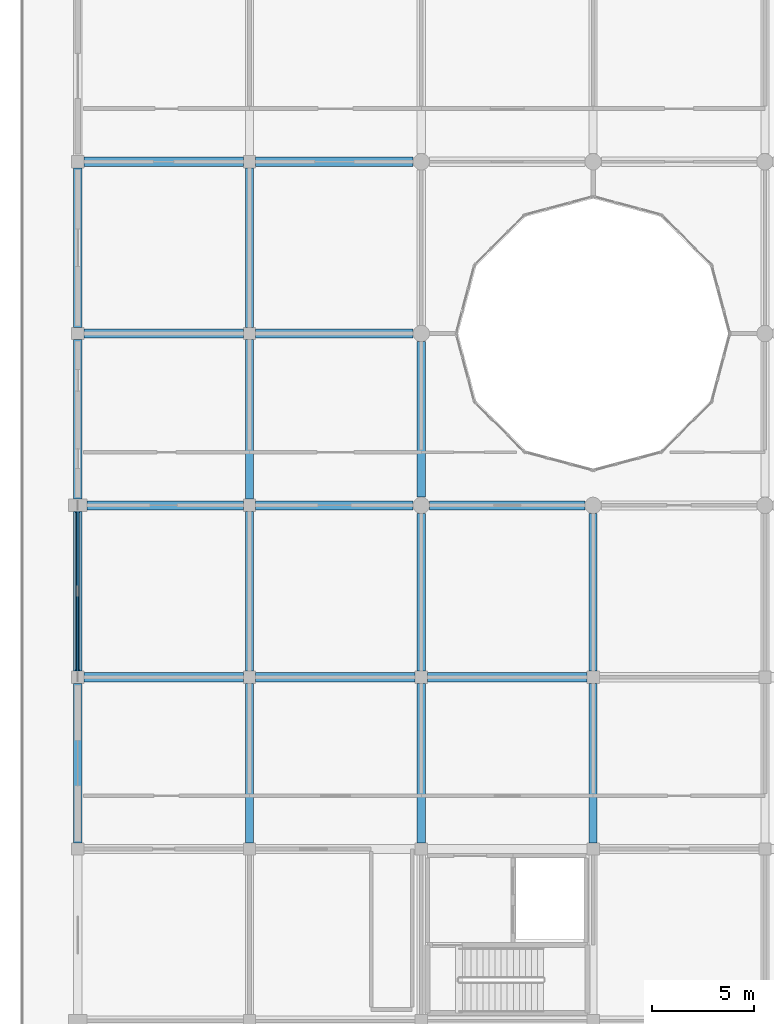
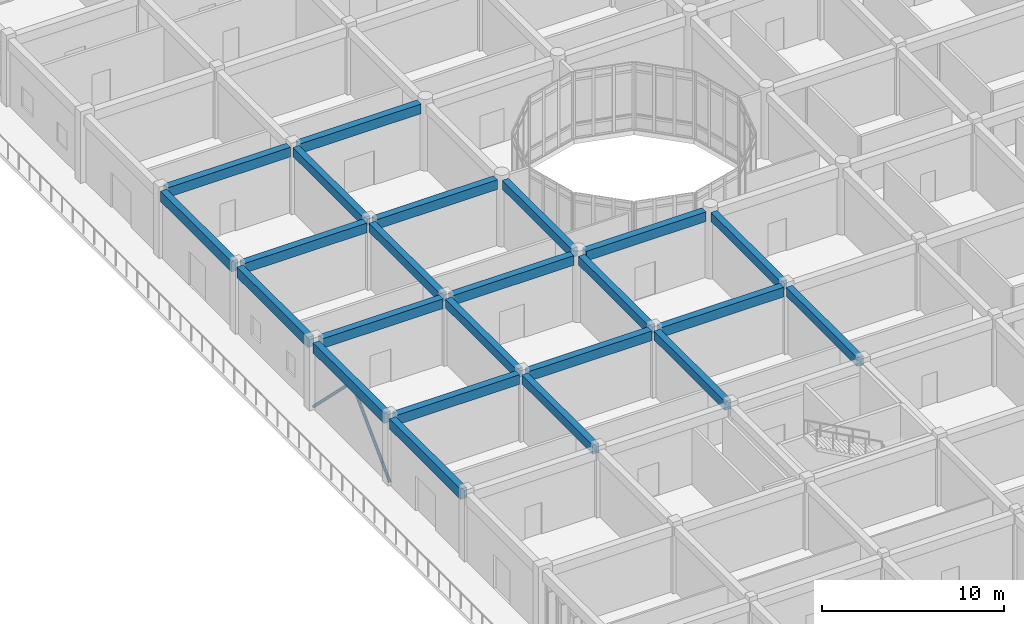
# One storey, part 21 of 138: 23 beams, 2 members.
"""IFC4 building model written with IfcOpenShell, lengths in metres."""

from ifc_helpers import new_model, si_unit, direction, frame, origin, origin_2d, place, context, subcontext, project, spatial, rectangle, hollow_circle, extrude, material, material_profile, profile_set, type_object, element, save


model = new_model("IFC4")

# Units and contexts
model_context = context("Model", 3, precision=1e-05, world=origin(), true_north=direction((0.0, 1.0)))
body_context = subcontext(model_context, "Body", "Model", "MODEL_VIEW")
ifc_project = project(units=[si_unit("LENGTHUNIT", "METRE"), si_unit("AREAUNIT", "SQUARE_METRE"), si_unit("VOLUMEUNIT", "CUBIC_METRE"), si_unit("PLANEANGLEUNIT", "RADIAN"), si_unit("MASSUNIT", "GRAM", prefix="KILO")], contexts=[model_context])

# Site, building, storey
site_placement = place(None, origin())
site = spatial("IfcSite", under=ifc_project, at=site_placement, CompositionType="ELEMENT")
building_placement = place(site_placement, origin())
building = spatial("IfcBuilding", under=site, at=building_placement, Name="Bramfleet General Hospital", CompositionType="ELEMENT")
storey_placement = place(building_placement, origin())
storey = spatial("IfcBuildingStorey", under=building, at=storey_placement, Name="L00", CompositionType="ELEMENT", Elevation=0.0)

# Beams
ifc_material_1 = material(Name="Concrete C35/45", Category="concrete")
ifc_material_profile_1 = material_profile(ifc_material_1, rectangle(XDim=0.39990234375, YDim=0.60009765625, at=origin_2d()), Name="RC BM 600x400")
ifc_profile_set_1 = profile_set([ifc_material_profile_1], Name="Concrete C35/45")
beam_type_1 = type_object("IfcBeamType", Name="BM-RC600", PredefinedType="BEAM", material=ifc_profile_set_1)
beam_1_placement = place(storey_placement, frame((8.39990234375, 59.10009765625, 4.199951171875), z_axis=(0.0, 1.0, 0.0), x_axis=(-1.0, 0.0, 0.0)))
element("IfcBeam", 1, at=beam_1_placement, inside=storey, type_object=beam_type_1, Name="L00 Grid Beam Y 01-07", PredefinedType="BEAM", context=body_context, shape_type="SweptSolid", body=[
    extrude(rectangle(XDim=0.39990234375, YDim=0.60009765625, at=origin_2d()), origin(), (0.0, 0.0, 1.0), 7.7998046875),
])
for number, where, z_axis, x_axis, name in (
    (2, (8.39990234375, 67.5, 4.199951171875), (0.0, 1.0, 0.0), (-1.0, 0.0, 0.0), "L00 Grid Beam Y 01-08"),
    (3, (8.39990234375, 75.89990234375, 4.199951171875), (0.0, 1.0, 0.0), (-1.0, 0.0, 0.0), "L00 Grid Beam Y 01-09"),
    (4, (8.39990234375, 84.300048828125, 4.199951171875), (0.0, 1.0, 0.0), (-1.0, 0.0, 0.0), "L00 Grid Beam Y 01-10"),
):
    element("IfcBeam", number, at=place(storey_placement, frame(where, z_axis=z_axis, x_axis=x_axis)), inside=storey, type_object=beam_type_1, Name=name, PredefinedType="BEAM", context=body_context, shape_type="SweptSolid", body=[
        extrude(rectangle(XDim=0.39990234375, YDim=0.60009765625, at=origin_2d()), origin(), (0.0, 0.0, 1.0), 7.800048828125),
    ])
beam_2_placement = place(storey_placement, frame((16.800048828125, 59.10009765625, 4.199951171875), z_axis=(0.0, 1.0, 0.0), x_axis=(-1.0, 0.0, 0.0)))
element("IfcBeam", 5, at=beam_2_placement, inside=storey, type_object=beam_type_1, Name="L00 Grid Beam Y 02-07", PredefinedType="BEAM", context=body_context, shape_type="SweptSolid", body=[
    extrude(rectangle(XDim=0.39990234375, YDim=0.60009765625, at=origin_2d()), origin(), (0.0, 0.0, 1.0), 7.7998046875),
])
beam_3_placement = place(storey_placement, frame((16.800048828125, 67.5, 4.199951171875), z_axis=(0.0, 1.0, 0.0), x_axis=(-1.0, 0.0, 0.0)))
element("IfcBeam", 6, at=beam_3_placement, inside=storey, type_object=beam_type_1, Name="L00 Grid Beam Y 02-08", PredefinedType="BEAM", context=body_context, shape_type="SweptSolid", body=[
    extrude(rectangle(XDim=0.39990234375, YDim=0.60009765625, at=origin_2d()), origin(), (0.0, 0.0, 1.0), 7.699951171875),
])
beam_4_placement = place(storey_placement, frame((16.800048828125, 76.0, 4.199951171875), z_axis=(0.0, 1.0, 0.0), x_axis=(-1.0, 0.0, 0.0)))
element("IfcBeam", 7, at=beam_4_placement, inside=storey, type_object=beam_type_1, Name="L00 Grid Beam Y 02-09", PredefinedType="BEAM", context=body_context, shape_type="SweptSolid", body=[
    extrude(rectangle(XDim=0.39990234375, YDim=0.60009765625, at=origin_2d()), origin(), (0.0, 0.0, 1.0), 7.60009765625),
])
beam_5_placement = place(storey_placement, frame((25.199951171875, 59.10009765625, 4.199951171875), z_axis=(0.0, 1.0, 0.0), x_axis=(-1.0, 0.0, 0.0)))
element("IfcBeam", 8, at=beam_5_placement, inside=storey, type_object=beam_type_1, Name="L00 Grid Beam Y 03-07", PredefinedType="BEAM", context=body_context, shape_type="SweptSolid", body=[
    extrude(rectangle(XDim=0.39990234375, YDim=0.60009765625, at=origin_2d()), origin(), (0.0, 0.0, 1.0), 7.7998046875),
])
beam_6_placement = place(storey_placement, frame((25.199951171875, 67.5, 4.199951171875), z_axis=(0.0, 1.0, 0.0), x_axis=(-1.0, 0.0, 0.0)))
element("IfcBeam", 9, at=beam_6_placement, inside=storey, type_object=beam_type_1, Name="L00 Grid Beam Y 03-08", PredefinedType="BEAM", context=body_context, shape_type="SweptSolid", body=[
    extrude(rectangle(XDim=0.39990234375, YDim=0.60009765625, at=origin_2d()), origin(), (0.0, 0.0, 1.0), 7.699951171875),
])
ifc_material_profile_2 = material_profile(ifc_material_1, rectangle(XDim=0.449951171875, YDim=0.64990234375, at=origin_2d()), Name="RC BM 650x450")
ifc_profile_set_2 = profile_set([ifc_material_profile_2], Name="Concrete C35/45")
beam_type_2 = type_object("IfcBeamType", Name="BM-RC650", PredefinedType="BEAM", material=ifc_profile_set_2)
beam_7_placement = place(storey_placement, frame((0.300048828125, 67.199951171875, 4.175048828125), z_axis=(1.0, 0.0, 0.0), x_axis=(0.0, 1.0, 0.0)))
element("IfcBeam", 10, at=beam_7_placement, inside=storey, type_object=beam_type_2, Name="L00 Grid Beam X 00-08", PredefinedType="BEAM", context=body_context, shape_type="SweptSolid", body=[
    extrude(rectangle(XDim=0.449951171875, YDim=0.64990234375, at=origin_2d()), origin(), (0.0, 0.0, 1.0), 7.800048828125),
])
beam_8_placement = place(storey_placement, frame((0.449951171875, 75.60009765625, 4.175048828125), z_axis=(1.0, 0.0, 0.0), x_axis=(0.0, 1.0, 0.0)))
element("IfcBeam", 11, at=beam_8_placement, inside=storey, type_object=beam_type_2, Name="L00 Grid Beam X 00-09", PredefinedType="BEAM", context=body_context, shape_type="SweptSolid", body=[
    extrude(rectangle(XDim=0.449951171875, YDim=0.64990234375, at=origin_2d()), origin(), (0.0, 0.0, 1.0), 7.650146484375),
])
for number, where, z_axis, x_axis, name in (
    (12, (0.300048828125, 84.0, 4.175048828125), (1.0, 0.0, 0.0), (0.0, 1.0, 0.0), "L00 Grid Beam X 00-10"),
    (13, (0.300048828125, 92.39990234375, 4.175048828125), (1.0, 0.0, 0.0), (0.0, 1.0, 0.0), "L00 Grid Beam X 00-11"),
    (14, (8.699951171875, 67.199951171875, 4.175048828125), (1.0, 0.0, 0.0), (0.0, 1.0, 0.0), "L00 Grid Beam X 01-08"),
):
    element("IfcBeam", number, at=place(storey_placement, frame(where, z_axis=z_axis, x_axis=x_axis)), inside=storey, type_object=beam_type_2, Name=name, PredefinedType="BEAM", context=body_context, shape_type="SweptSolid", body=[
        extrude(rectangle(XDim=0.449951171875, YDim=0.64990234375, at=origin_2d()), origin(), (0.0, 0.0, 1.0), 7.800048828125),
    ])
for number, where, z_axis, x_axis, name in (
    (15, (8.699951171875, 75.60009765625, 4.175048828125), (1.0, 0.0, 0.0), (0.0, 1.0, 0.0), "L00 Grid Beam X 01-09"),
    (16, (8.699951171875, 84.0, 4.175048828125), (1.0, 0.0, 0.0), (0.0, 1.0, 0.0), "L00 Grid Beam X 01-10"),
    (17, (8.699951171875, 92.39990234375, 4.175048828125), (1.0, 0.0, 0.0), (0.0, 1.0, 0.0), "L00 Grid Beam X 01-11"),
):
    element("IfcBeam", number, at=place(storey_placement, frame(where, z_axis=z_axis, x_axis=x_axis)), inside=storey, type_object=beam_type_2, Name=name, PredefinedType="BEAM", context=body_context, shape_type="SweptSolid", body=[
        extrude(rectangle(XDim=0.449951171875, YDim=0.64990234375, at=origin_2d()), origin(), (0.0, 0.0, 1.0), 7.699951171875),
    ])
beam_9_placement = place(storey_placement, frame((17.10009765625, 67.199951171875, 4.175048828125), z_axis=(1.0, 0.0, 0.0), x_axis=(0.0, 1.0, 0.0)))
element("IfcBeam", 18, at=beam_9_placement, inside=storey, type_object=beam_type_2, Name="L00 Grid Beam X 02-08", PredefinedType="BEAM", context=body_context, shape_type="SweptSolid", body=[
    extrude(rectangle(XDim=0.449951171875, YDim=0.64990234375, at=origin_2d()), origin(), (0.0, 0.0, 1.0), 7.7998046875),
])
beam_10_placement = place(storey_placement, frame((17.199951171875, 75.60009765625, 4.175048828125), z_axis=(1.0, 0.0, 0.0), x_axis=(0.0, 1.0, 0.0)))
element("IfcBeam", 19, at=beam_10_placement, inside=storey, type_object=beam_type_2, Name="L00 Grid Beam X 02-09", PredefinedType="BEAM", context=body_context, shape_type="SweptSolid", body=[
    extrude(rectangle(XDim=0.449951171875, YDim=0.64990234375, at=origin_2d()), origin(), (0.0, 0.0, 1.0), 7.60009765625),
])
ifc_material_profile_3 = material_profile(ifc_material_1, rectangle(XDim=0.39990234375, YDim=0.699951171875, at=origin_2d()), Name="RC SP 700x400")
ifc_profile_set_3 = profile_set([ifc_material_profile_3], Name="Concrete C35/45")
beam_type_3 = type_object("IfcBeamType", Name="BM-SP700", PredefinedType="SPANDREL", material=ifc_profile_set_3)
beam_11_placement = place(storey_placement, frame((0.0, 59.10009765625, 4.14990234375), z_axis=(0.0, 1.0, 0.0), x_axis=(-1.0, 0.0, 0.0)))
element("IfcBeam", 20, at=beam_11_placement, inside=storey, type_object=beam_type_3, Name="L00 Grid Beam Y 00-07", PredefinedType="SPANDREL", context=body_context, shape_type="SweptSolid", body=[
    extrude(rectangle(XDim=0.39990234375, YDim=0.699951171875, at=origin_2d()), origin(), (0.0, 0.0, 1.0), 7.7998046875),
])
for number, where, z_axis, x_axis, name in (
    (21, (0.0, 67.5, 4.14990234375), (0.0, 1.0, 0.0), (-1.0, 0.0, 0.0), "L00 Grid Beam Y 00-08"),
    (22, (0.0, 75.89990234375, 4.14990234375), (0.0, 1.0, 0.0), (-1.0, 0.0, 0.0), "L00 Grid Beam Y 00-09"),
    (23, (0.0, 84.300048828125, 4.14990234375), (0.0, 1.0, 0.0), (-1.0, 0.0, 0.0), "L00 Grid Beam Y 00-10"),
):
    element("IfcBeam", number, at=place(storey_placement, frame(where, z_axis=z_axis, x_axis=x_axis)), inside=storey, type_object=beam_type_3, Name=name, PredefinedType="SPANDREL", context=body_context, shape_type="SweptSolid", body=[
        extrude(rectangle(XDim=0.39990234375, YDim=0.699951171875, at=origin_2d()), origin(), (0.0, 0.0, 1.0), 7.800048828125),
    ])

# Members
ifc_material_2 = material(Name="Steel S355", Category="steel")
ifc_material_profile_4 = material_profile(ifc_material_2, hollow_circle(Radius=0.096923828125, WallThickness=0.010009765625, at=origin_2d()), Name="CHS 193.7x10.0")
ifc_profile_set_4 = profile_set([ifc_material_profile_4], Name="Steel S355")
member_type = type_object("IfcMemberType", Name="MEM-BR-CHS193", PredefinedType="BRACE", material=ifc_profile_set_4)
member_1_placement = place(storey_placement, frame((0.0, 67.199951171875, -0.02001953125), z_axis=(0.0, 0.709639160314, 0.704565300131), x_axis=(-1.0, 0.0, 0.0)))
element("IfcMember", 24, at=member_1_placement, inside=storey, type_object=member_type, Name="L00 Chevron Brace 7A", PredefinedType="BRACE", context=body_context, shape_type="SweptSolid", body=[
    extrude(hollow_circle(Radius=0.096923828125, WallThickness=0.010009765625, at=origin_2d()), origin(), (0.0, 0.0, 1.0), 5.91845703125),
])
member_2_placement = place(storey_placement, frame((0.0, 75.60009765625, -0.02001953125), z_axis=(0.0, -0.709659636865, 0.704544675521), x_axis=(1.0, 0.0, 0.0)))
element("IfcMember", 25, at=member_2_placement, inside=storey, type_object=member_type, Name="L00 Chevron Brace 7B", PredefinedType="BRACE", context=body_context, shape_type="SweptSolid", body=[
    extrude(hollow_circle(Radius=0.096923828125, WallThickness=0.010009765625, at=origin_2d()), origin(), (0.0, 0.0, 1.0), 5.918701171875),
])

save(model, "model.ifc")
